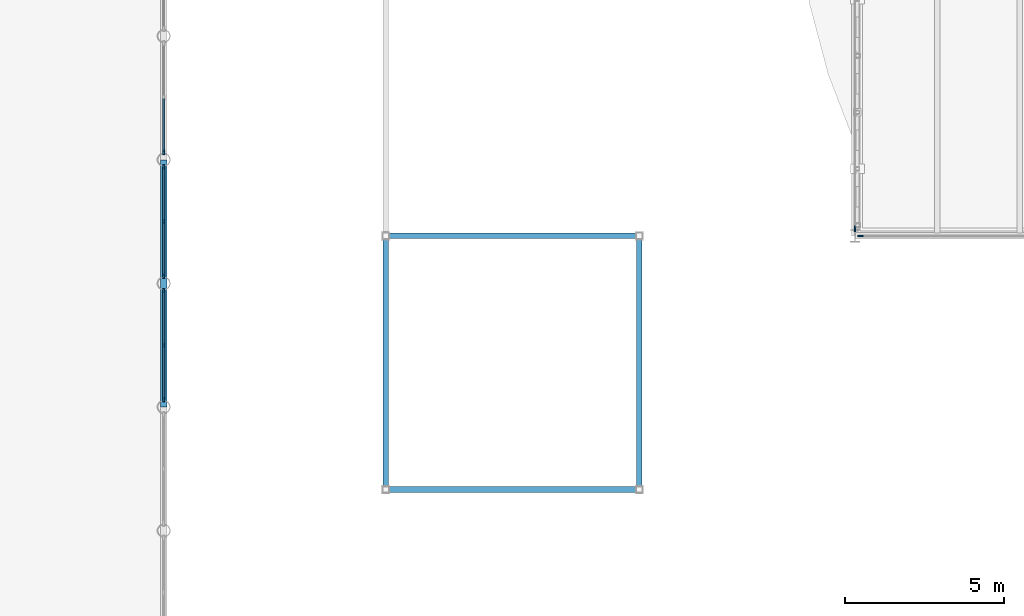
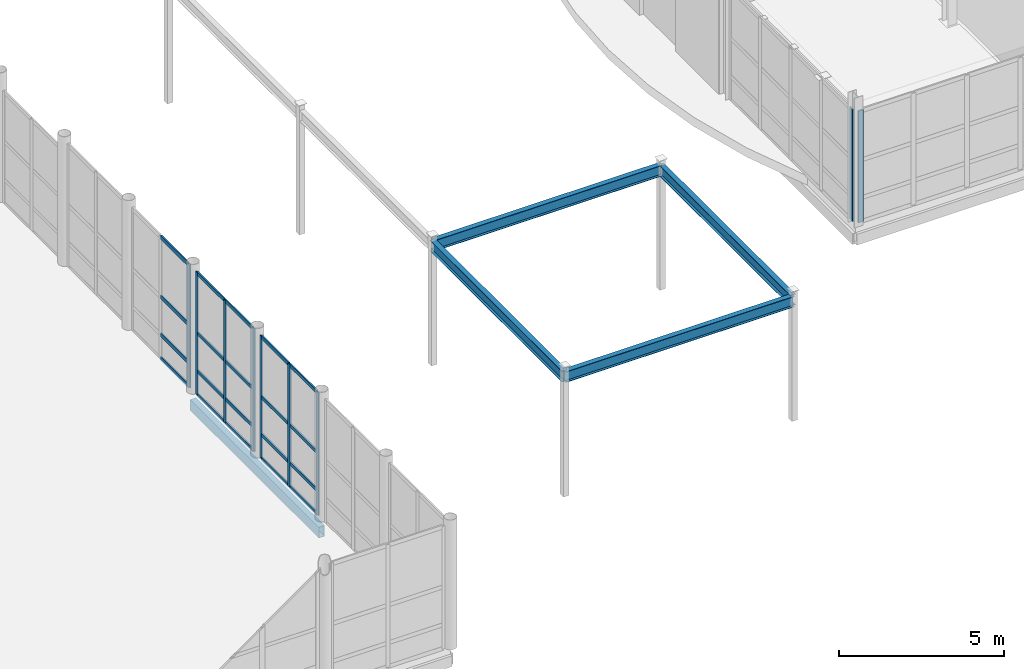
# One storey, part 41 of 131: 29 members, 5 beams, 5 elements without a shape of their own.
"""IFC4 building model written with IfcOpenShell, lengths in metres."""

from ifc_helpers import new_model, si_unit, direction, frame, origin, origin_2d, place, context, subcontext, project, spatial, rectangle, hollow_rectangle, i_section, extrude, material, layer, layer_set, material_profile, profile_set, type_object, element, aggregate, save


model = new_model("IFC4")

# Units and contexts
model_context = context("Model", 3, precision=1e-05, world=origin(), true_north=direction((0.0, 1.0)))
body_context = subcontext(model_context, "Body", "Model", "MODEL_VIEW")
ifc_project = project(units=[si_unit("LENGTHUNIT", "METRE"), si_unit("AREAUNIT", "SQUARE_METRE"), si_unit("VOLUMEUNIT", "CUBIC_METRE"), si_unit("PLANEANGLEUNIT", "RADIAN"), si_unit("MASSUNIT", "GRAM", prefix="KILO")], contexts=[model_context])

# Site, building, storey
site_placement = place(None, origin())
site = spatial("IfcSite", under=ifc_project, at=site_placement, CompositionType="ELEMENT")
building_placement = place(site_placement, origin())
building = spatial("IfcBuilding", under=site, at=building_placement, Name="Celorna Specialist Clinic", CompositionType="ELEMENT")
storey_placement = place(building_placement, origin())
storey = spatial("IfcBuildingStorey", under=building, at=storey_placement, Name="L00", CompositionType="ELEMENT", Elevation=0.0)

# Beams
ifc_material_1 = material(Name="Steel S355", Category="steel")
ifc_material_profile_1 = material_profile(ifc_material_1, i_section(OverallWidth=0.179931640625, OverallDepth=0.39990234375, WebThickness=0.008544921875, FlangeThickness=0.013427734375, at=origin_2d()), Name="IPE 400")
ifc_profile_set_1 = profile_set([ifc_material_profile_1], Name="Steel S355")
beam_type_1 = type_object("IfcBeamType", Name="BM-10", PredefinedType="BEAM", material=ifc_profile_set_1)
for number, where, z_axis, x_axis, name in (
    (1, (110.0, 52.0, 4.39990234375), (0.0, 1.0, 0.0), (-1.0, 0.0, 0.0), "Healing garden pergola beam #1"),
    (2, (118.0, 52.0, 4.39990234375), (0.0, 1.0, 0.0), (-1.0, 0.0, 0.0), "Healing garden pergola beam #4"),
    (3, (110.0, 52.0, 4.39990234375), (1.0, 0.0, 0.0), (0.0, 1.0, 0.0), "Healing garden pergola beam #5"),
    (4, (110.0, 60.0, 4.39990234375), (1.0, 0.0, 0.0), (0.0, 1.0, 0.0), "Healing garden pergola beam #6"),
):
    element("IfcBeam", number, at=place(storey_placement, frame(where, z_axis=z_axis, x_axis=x_axis)), inside=storey, type_object=beam_type_1, Name=name, PredefinedType="BEAM", context=body_context, shape_type="SweptSolid", body=[
        extrude(i_section(OverallWidth=0.179931640625, OverallDepth=0.39990234375, WebThickness=0.008544921875, FlangeThickness=0.013427734375, at=origin_2d()), origin(), (0.0, 0.0, 1.0), 8.0),
    ])
ifc_material_profile_2 = material_profile(ifc_material_1, hollow_rectangle(XDim=0.199951171875, YDim=0.39990234375, WallThickness=0.011962890625, at=origin_2d()), Name="RHS 200x400x12")
ifc_profile_set_2 = profile_set([ifc_material_profile_2], Name="Steel S355")
beam_type_2 = type_object("IfcBeamType", Name="BM-15", PredefinedType="SPANDREL", material=ifc_profile_set_2)
beam_placement = place(storey_placement, frame((103.0, 54.60009765625, -0.5), z_axis=(0.0, 1.0, 0.0), x_axis=(-1.0, 0.0, 0.0)))
element("IfcBeam", 5, at=beam_placement, inside=storey, type_object=beam_type_2, Name="Spandrel beam BM-15 #176", PredefinedType="SPANDREL", context=body_context, shape_type="SweptSolid", body=[
    extrude(hollow_rectangle(XDim=0.199951171875, YDim=0.39990234375, WallThickness=0.011962890625, at=origin_2d()), origin(), (0.0, 0.0, 1.0), 7.7998046875),
])

# Curtain wall, member
ifc_material_2 = material(Name="Thermally broken aluminium and solar-control glass curtain wall", Category="aluminium")
ifc_layer_1 = layer(ifc_material_2, 0.159912109375, Name="Thermally broken aluminium and solar-control glass curtain wall")
ifc_layer_set_1 = layer_set([ifc_layer_1], Name="Thermally broken aluminium and solar-control glass curtain wall")
curtain_wall_type_1 = type_object("IfcCurtainWallType", Name="CW-06", PredefinedType="NOTDEFINED", material=ifc_layer_set_1)
curtain_wall_1_placement = place(storey_placement, origin())
curtain_wall_1 = element("IfcCurtainWall", 6, at=curtain_wall_1_placement, inside=storey, type_object=curtain_wall_type_1, Name="Curtain wall CW-06 #23", PredefinedType="NOTDEFINED")
ifc_material_3 = material(Name="Anodized aluminium mullion", Category="aluminium")
ifc_material_profile_3 = material_profile(ifc_material_3, rectangle(XDim=0.050048828125, YDim=0.159912109375, at=origin_2d()), Name="ALU MULLION 50x160")
ifc_profile_set_3 = profile_set([ifc_material_profile_3], Name="Anodized aluminium mullion")
member_type_1 = type_object("IfcMemberType", Name="ML-01", PredefinedType="MULLION", material=ifc_profile_set_3)
member_1_placement = place(storey_placement, frame((103.0, 62.632080078125, 0.0), z_axis=(0.0, 0.0, 1.0), x_axis=(1.0, 0.0, 0.0)))
member_1 = element("IfcMember", 7, at=member_1_placement, type_object=member_type_1, Name="CW-06 mullion 3", PredefinedType="MULLION", context=body_context, shape_type="SweptSolid", body=[
    extrude(rectangle(XDim=0.050048828125, YDim=0.159912109375, at=origin_2d()), origin(), (0.0, 0.0, 1.0), 4.5400390625),
])

ifc_layer_2 = layer(ifc_material_2, 0.159912109375, Name="Thermally broken aluminium and solar-control glass curtain wall")
ifc_layer_set_2 = layer_set([ifc_layer_2], Name="Thermally broken aluminium and solar-control glass curtain wall")
curtain_wall_type_2 = type_object("IfcCurtainWallType", Name="CW-34", PredefinedType="NOTDEFINED", material=ifc_layer_set_2)
curtain_wall_2_placement = place(storey_placement, origin())
curtain_wall_2 = element("IfcCurtainWall", 8, at=curtain_wall_2_placement, inside=storey, type_object=curtain_wall_type_2, Name="Curtain wall CW-34 #64", PredefinedType="NOTDEFINED")
ifc_material_profile_4 = material_profile(ifc_material_3, rectangle(XDim=0.050048828125, YDim=0.179931640625, at=origin_2d()), Name="ALU MULLION 50x180")
ifc_profile_set_4 = profile_set([ifc_material_profile_4], Name="Anodized aluminium mullion")
member_type_2 = type_object("IfcMemberType", Name="ML-02", PredefinedType="MULLION", material=ifc_profile_set_4)
member_2_placement = place(storey_placement, frame((124.97900390625, 60.0, 0.0), z_axis=(0.0, 0.0, 1.0), x_axis=(0.0, -1.0, 0.0)))
member_2 = element("IfcMember", 9, at=member_2_placement, type_object=member_type_2, Name="CW-34 mullion 5", PredefinedType="MULLION", context=body_context, shape_type="SweptSolid", body=[
    extrude(rectangle(XDim=0.050048828125, YDim=0.179931640625, at=origin_2d()), origin(), (0.0, 0.0, 1.0), 4.139892578125),
])
aggregate(curtain_wall_2, [member_2])

ifc_layer_3 = layer(ifc_material_2, 0.159912109375, Name="Thermally broken aluminium and solar-control glass curtain wall")
ifc_layer_set_3 = layer_set([ifc_layer_3], Name="Thermally broken aluminium and solar-control glass curtain wall")
curtain_wall_type_3 = type_object("IfcCurtainWallType", Name="CW-38", PredefinedType="NOTDEFINED", material=ifc_layer_set_3)
curtain_wall_3_placement = place(storey_placement, origin())
curtain_wall_3 = element("IfcCurtainWall", 10, at=curtain_wall_3_placement, inside=storey, type_object=curtain_wall_type_3, Name="Curtain wall CW-38 #73", PredefinedType="NOTDEFINED")
member_3_placement = place(storey_placement, frame((124.800048828125, 60.22412109375, 0.0), z_axis=(0.0, 0.0, 1.0), x_axis=(-1.0, 0.0, 0.0)))
member_3 = element("IfcMember", 11, at=member_3_placement, type_object=member_type_2, Name="CW-38 mullion 1", PredefinedType="MULLION", context=body_context, shape_type="SweptSolid", body=[
    extrude(rectangle(XDim=0.050048828125, YDim=0.179931640625, at=origin_2d()), origin(), (0.0, 0.0, 1.0), 4.139892578125),
])
aggregate(curtain_wall_3, [member_3])

# Curtain wall, members
ifc_layer_4 = layer(ifc_material_2, 0.159912109375, Name="Thermally broken aluminium and solar-control glass curtain wall")
ifc_layer_set_4 = layer_set([ifc_layer_4], Name="Thermally broken aluminium and solar-control glass curtain wall")
curtain_wall_type_4 = type_object("IfcCurtainWallType", Name="CW-05", PredefinedType="NOTDEFINED", material=ifc_layer_set_4)
curtain_wall_4_placement = place(storey_placement, origin())
curtain_wall_4 = element("IfcCurtainWall", 12, at=curtain_wall_4_placement, inside=storey, type_object=curtain_wall_type_4, Name="Curtain wall CW-05 #20", PredefinedType="NOTDEFINED")
ifc_material_profile_5 = material_profile(ifc_material_3, rectangle(XDim=0.050048828125, YDim=0.139892578125, at=origin_2d()), Name="ALU MULLION 50x140")
ifc_profile_set_5 = profile_set([ifc_material_profile_5], Name="Anodized aluminium mullion")
member_type_3 = type_object("IfcMemberType", Name="ML-03", PredefinedType="MULLION", material=ifc_profile_set_5)
member_4_placement = place(storey_placement, frame((103.0, 62.167724609375, 0.0), z_axis=(0.0, 0.0, 1.0), x_axis=(1.0, 0.0, 0.0)))
member_4 = element("IfcMember", 13, at=member_4_placement, type_object=member_type_3, Name="CW-05 mullion 1", PredefinedType="MULLION", context=body_context, shape_type="SweptSolid", body=[
    extrude(rectangle(XDim=0.050048828125, YDim=0.139892578125, at=origin_2d()), origin(), (0.0, 0.0, 1.0), 4.5400390625),
])
member_5_placement = place(storey_placement, frame((103.0, 60.449951171875, 0.0), z_axis=(0.0, 0.0, 1.0), x_axis=(1.0, 0.0, 0.0)))
member_5 = element("IfcMember", 14, at=member_5_placement, type_object=member_type_3, Name="CW-05 mullion 2", PredefinedType="MULLION", context=body_context, shape_type="SweptSolid", body=[
    extrude(rectangle(XDim=0.050048828125, YDim=0.139892578125, at=origin_2d()), origin(), (0.0, 0.0, 1.0), 4.5400390625),
])
member_6_placement = place(storey_placement, frame((103.0, 58.732177734375, 0.0), z_axis=(0.0, 0.0, 1.0), x_axis=(1.0, 0.0, 0.0)))
member_6 = element("IfcMember", 15, at=member_6_placement, type_object=member_type_3, Name="CW-05 mullion 3", PredefinedType="MULLION", context=body_context, shape_type="SweptSolid", body=[
    extrude(rectangle(XDim=0.050048828125, YDim=0.139892578125, at=origin_2d()), origin(), (0.0, 0.0, 1.0), 4.5400390625),
])

curtain_wall_5_placement = place(storey_placement, origin())
curtain_wall_5 = element("IfcCurtainWall", 16, at=curtain_wall_5_placement, inside=storey, type_object=curtain_wall_type_4, Name="Curtain wall CW-05 #21", PredefinedType="NOTDEFINED")
member_7_placement = place(storey_placement, frame((103.0, 58.267822265625, 0.0), z_axis=(0.0, 0.0, 1.0), x_axis=(1.0, 0.0, 0.0)))
member_7 = element("IfcMember", 17, at=member_7_placement, type_object=member_type_3, Name="CW-05 mullion 1", PredefinedType="MULLION", context=body_context, shape_type="SweptSolid", body=[
    extrude(rectangle(XDim=0.050048828125, YDim=0.139892578125, at=origin_2d()), origin(), (0.0, 0.0, 1.0), 4.5400390625),
])
member_8_placement = place(storey_placement, frame((103.0, 56.550048828125, 0.0), z_axis=(0.0, 0.0, 1.0), x_axis=(1.0, 0.0, 0.0)))
member_8 = element("IfcMember", 18, at=member_8_placement, type_object=member_type_3, Name="CW-05 mullion 2", PredefinedType="MULLION", context=body_context, shape_type="SweptSolid", body=[
    extrude(rectangle(XDim=0.050048828125, YDim=0.139892578125, at=origin_2d()), origin(), (0.0, 0.0, 1.0), 4.5400390625),
])
member_9_placement = place(storey_placement, frame((103.0, 54.832275390625, 0.0), z_axis=(0.0, 0.0, 1.0), x_axis=(1.0, 0.0, 0.0)))
member_9 = element("IfcMember", 19, at=member_9_placement, type_object=member_type_3, Name="CW-05 mullion 3", PredefinedType="MULLION", context=body_context, shape_type="SweptSolid", body=[
    extrude(rectangle(XDim=0.050048828125, YDim=0.139892578125, at=origin_2d()), origin(), (0.0, 0.0, 1.0), 4.5400390625),
])

# Member
ifc_material_4 = material(Name="Anodized aluminium transom", Category="aluminium")
ifc_material_profile_6 = material_profile(ifc_material_4, rectangle(XDim=0.050048828125, YDim=0.1298828125, at=origin_2d()), Name="ALU TRANSOM 50x130")
ifc_profile_set_6 = profile_set([ifc_material_profile_6], Name="Anodized aluminium transom")
member_type_4 = type_object("IfcMemberType", Name="TR-01", PredefinedType="USERDEFINED", material=ifc_profile_set_6)
member_10_placement = place(storey_placement, frame((103.0, 62.142822265625, 0.02490234375), z_axis=(0.0, -1.0, 0.0), x_axis=(1.0, 0.0, 0.0)))
member_10 = element("IfcMember", 20, at=member_10_placement, type_object=member_type_4, Name="CW-05 transom 1.1", ObjectType="TRANSOM", PredefinedType="USERDEFINED", context=body_context, shape_type="SweptSolid", body=[
    extrude(rectangle(XDim=0.050048828125, YDim=0.1298828125, at=origin_2d()), origin(), (0.0, 0.0, 1.0), 1.667724609375),
])

member_11_placement = place(storey_placement, frame((103.0, 62.142822265625, 0.89990234375), z_axis=(0.0, -1.0, 0.0), x_axis=(1.0, 0.0, 0.0)))
member_11 = element("IfcMember", 21, at=member_11_placement, type_object=member_type_4, Name="CW-05 transom 1.2", ObjectType="TRANSOM", PredefinedType="USERDEFINED", context=body_context, shape_type="SweptSolid", body=[
    extrude(rectangle(XDim=0.050048828125, YDim=0.1298828125, at=origin_2d()), origin(), (0.0, 0.0, 1.0), 1.667724609375),
])

member_12_placement = place(storey_placement, frame((103.0, 62.142822265625, 2.300048828125), z_axis=(0.0, -1.0, 0.0), x_axis=(1.0, 0.0, 0.0)))
member_12 = element("IfcMember", 22, at=member_12_placement, type_object=member_type_4, Name="CW-05 transom 1.3", ObjectType="TRANSOM", PredefinedType="USERDEFINED", context=body_context, shape_type="SweptSolid", body=[
    extrude(rectangle(XDim=0.050048828125, YDim=0.1298828125, at=origin_2d()), origin(), (0.0, 0.0, 1.0), 1.667724609375),
])

member_13_placement = place(storey_placement, frame((103.0, 62.142822265625, 4.514892578125), z_axis=(0.0, -1.0, 0.0), x_axis=(1.0, 0.0, 0.0)))
member_13 = element("IfcMember", 23, at=member_13_placement, type_object=member_type_4, Name="CW-05 transom 1.4", ObjectType="TRANSOM", PredefinedType="USERDEFINED", context=body_context, shape_type="SweptSolid", body=[
    extrude(rectangle(XDim=0.050048828125, YDim=0.1298828125, at=origin_2d()), origin(), (0.0, 0.0, 1.0), 1.667724609375),
])

member_14_placement = place(storey_placement, frame((103.0, 60.425048828125, 0.02490234375), z_axis=(0.0, -1.0, 0.0), x_axis=(1.0, 0.0, 0.0)))
member_14 = element("IfcMember", 24, at=member_14_placement, type_object=member_type_4, Name="CW-05 transom 2.1", ObjectType="TRANSOM", PredefinedType="USERDEFINED", context=body_context, shape_type="SweptSolid", body=[
    extrude(rectangle(XDim=0.050048828125, YDim=0.1298828125, at=origin_2d()), origin(), (0.0, 0.0, 1.0), 1.66796875),
])

member_15_placement = place(storey_placement, frame((103.0, 60.425048828125, 0.89990234375), z_axis=(0.0, -1.0, 0.0), x_axis=(1.0, 0.0, 0.0)))
member_15 = element("IfcMember", 25, at=member_15_placement, type_object=member_type_4, Name="CW-05 transom 2.2", ObjectType="TRANSOM", PredefinedType="USERDEFINED", context=body_context, shape_type="SweptSolid", body=[
    extrude(rectangle(XDim=0.050048828125, YDim=0.1298828125, at=origin_2d()), origin(), (0.0, 0.0, 1.0), 1.66796875),
])

member_16_placement = place(storey_placement, frame((103.0, 60.425048828125, 2.300048828125), z_axis=(0.0, -1.0, 0.0), x_axis=(1.0, 0.0, 0.0)))
member_16 = element("IfcMember", 26, at=member_16_placement, type_object=member_type_4, Name="CW-05 transom 2.3", ObjectType="TRANSOM", PredefinedType="USERDEFINED", context=body_context, shape_type="SweptSolid", body=[
    extrude(rectangle(XDim=0.050048828125, YDim=0.1298828125, at=origin_2d()), origin(), (0.0, 0.0, 1.0), 1.66796875),
])

member_17_placement = place(storey_placement, frame((103.0, 60.425048828125, 4.514892578125), z_axis=(0.0, -1.0, 0.0), x_axis=(1.0, 0.0, 0.0)))
member_17 = element("IfcMember", 27, at=member_17_placement, type_object=member_type_4, Name="CW-05 transom 2.4", ObjectType="TRANSOM", PredefinedType="USERDEFINED", context=body_context, shape_type="SweptSolid", body=[
    extrude(rectangle(XDim=0.050048828125, YDim=0.1298828125, at=origin_2d()), origin(), (0.0, 0.0, 1.0), 1.66796875),
])

aggregate(curtain_wall_4, [member_4, member_5, member_6, member_10, member_11, member_12, member_13, member_14, member_15, member_16, member_17])

member_18_placement = place(storey_placement, frame((103.0, 58.242919921875, 0.02490234375), z_axis=(0.0, -1.0, 0.0), x_axis=(1.0, 0.0, 0.0)))
member_18 = element("IfcMember", 28, at=member_18_placement, type_object=member_type_4, Name="CW-05 transom 1.1", ObjectType="TRANSOM", PredefinedType="USERDEFINED", context=body_context, shape_type="SweptSolid", body=[
    extrude(rectangle(XDim=0.050048828125, YDim=0.1298828125, at=origin_2d()), origin(), (0.0, 0.0, 1.0), 1.66796875),
])

member_19_placement = place(storey_placement, frame((103.0, 58.242919921875, 0.89990234375), z_axis=(0.0, -1.0, 0.0), x_axis=(1.0, 0.0, 0.0)))
member_19 = element("IfcMember", 29, at=member_19_placement, type_object=member_type_4, Name="CW-05 transom 1.2", ObjectType="TRANSOM", PredefinedType="USERDEFINED", context=body_context, shape_type="SweptSolid", body=[
    extrude(rectangle(XDim=0.050048828125, YDim=0.1298828125, at=origin_2d()), origin(), (0.0, 0.0, 1.0), 1.66796875),
])

member_20_placement = place(storey_placement, frame((103.0, 58.242919921875, 2.300048828125), z_axis=(0.0, -1.0, 0.0), x_axis=(1.0, 0.0, 0.0)))
member_20 = element("IfcMember", 30, at=member_20_placement, type_object=member_type_4, Name="CW-05 transom 1.3", ObjectType="TRANSOM", PredefinedType="USERDEFINED", context=body_context, shape_type="SweptSolid", body=[
    extrude(rectangle(XDim=0.050048828125, YDim=0.1298828125, at=origin_2d()), origin(), (0.0, 0.0, 1.0), 1.66796875),
])

member_21_placement = place(storey_placement, frame((103.0, 58.242919921875, 4.514892578125), z_axis=(0.0, -1.0, 0.0), x_axis=(1.0, 0.0, 0.0)))
member_21 = element("IfcMember", 31, at=member_21_placement, type_object=member_type_4, Name="CW-05 transom 1.4", ObjectType="TRANSOM", PredefinedType="USERDEFINED", context=body_context, shape_type="SweptSolid", body=[
    extrude(rectangle(XDim=0.050048828125, YDim=0.1298828125, at=origin_2d()), origin(), (0.0, 0.0, 1.0), 1.66796875),
])

member_22_placement = place(storey_placement, frame((103.0, 56.52490234375, 0.02490234375), z_axis=(0.0, -1.0, 0.0), x_axis=(1.0, 0.0, 0.0)))
member_22 = element("IfcMember", 32, at=member_22_placement, type_object=member_type_4, Name="CW-05 transom 2.1", ObjectType="TRANSOM", PredefinedType="USERDEFINED", context=body_context, shape_type="SweptSolid", body=[
    extrude(rectangle(XDim=0.050048828125, YDim=0.1298828125, at=origin_2d()), origin(), (0.0, 0.0, 1.0), 1.667724609375),
])

member_23_placement = place(storey_placement, frame((103.0, 56.52490234375, 0.89990234375), z_axis=(0.0, -1.0, 0.0), x_axis=(1.0, 0.0, 0.0)))
member_23 = element("IfcMember", 33, at=member_23_placement, type_object=member_type_4, Name="CW-05 transom 2.2", ObjectType="TRANSOM", PredefinedType="USERDEFINED", context=body_context, shape_type="SweptSolid", body=[
    extrude(rectangle(XDim=0.050048828125, YDim=0.1298828125, at=origin_2d()), origin(), (0.0, 0.0, 1.0), 1.667724609375),
])

member_24_placement = place(storey_placement, frame((103.0, 56.52490234375, 2.300048828125), z_axis=(0.0, -1.0, 0.0), x_axis=(1.0, 0.0, 0.0)))
member_24 = element("IfcMember", 34, at=member_24_placement, type_object=member_type_4, Name="CW-05 transom 2.3", ObjectType="TRANSOM", PredefinedType="USERDEFINED", context=body_context, shape_type="SweptSolid", body=[
    extrude(rectangle(XDim=0.050048828125, YDim=0.1298828125, at=origin_2d()), origin(), (0.0, 0.0, 1.0), 1.667724609375),
])

member_25_placement = place(storey_placement, frame((103.0, 56.52490234375, 4.514892578125), z_axis=(0.0, -1.0, 0.0), x_axis=(1.0, 0.0, 0.0)))
member_25 = element("IfcMember", 35, at=member_25_placement, type_object=member_type_4, Name="CW-05 transom 2.4", ObjectType="TRANSOM", PredefinedType="USERDEFINED", context=body_context, shape_type="SweptSolid", body=[
    extrude(rectangle(XDim=0.050048828125, YDim=0.1298828125, at=origin_2d()), origin(), (0.0, 0.0, 1.0), 1.667724609375),
])

aggregate(curtain_wall_5, [member_7, member_8, member_9, member_18, member_19, member_20, member_21, member_22, member_23, member_24, member_25])

ifc_material_profile_7 = material_profile(ifc_material_4, rectangle(XDim=0.050048828125, YDim=0.14990234375, at=origin_2d()), Name="ALU TRANSOM 50x150")
ifc_profile_set_7 = profile_set([ifc_material_profile_7], Name="Anodized aluminium transom")
member_type_5 = type_object("IfcMemberType", Name="TR-02", PredefinedType="USERDEFINED", material=ifc_profile_set_7)
member_26_placement = place(storey_placement, frame((103.0, 64.324951171875, 0.02490234375), z_axis=(0.0, -1.0, 0.0), x_axis=(1.0, 0.0, 0.0)))
member_26 = element("IfcMember", 36, at=member_26_placement, type_object=member_type_5, Name="CW-06 transom 2.1", ObjectType="TRANSOM", PredefinedType="USERDEFINED", context=body_context, shape_type="SweptSolid", body=[
    extrude(rectangle(XDim=0.050048828125, YDim=0.14990234375, at=origin_2d()), origin(), (0.0, 0.0, 1.0), 1.667724609375),
])

member_27_placement = place(storey_placement, frame((103.0, 64.324951171875, 0.89990234375), z_axis=(0.0, -1.0, 0.0), x_axis=(1.0, 0.0, 0.0)))
member_27 = element("IfcMember", 37, at=member_27_placement, type_object=member_type_5, Name="CW-06 transom 2.2", ObjectType="TRANSOM", PredefinedType="USERDEFINED", context=body_context, shape_type="SweptSolid", body=[
    extrude(rectangle(XDim=0.050048828125, YDim=0.14990234375, at=origin_2d()), origin(), (0.0, 0.0, 1.0), 1.667724609375),
])

member_28_placement = place(storey_placement, frame((103.0, 64.324951171875, 2.300048828125), z_axis=(0.0, -1.0, 0.0), x_axis=(1.0, 0.0, 0.0)))
member_28 = element("IfcMember", 38, at=member_28_placement, type_object=member_type_5, Name="CW-06 transom 2.3", ObjectType="TRANSOM", PredefinedType="USERDEFINED", context=body_context, shape_type="SweptSolid", body=[
    extrude(rectangle(XDim=0.050048828125, YDim=0.14990234375, at=origin_2d()), origin(), (0.0, 0.0, 1.0), 1.667724609375),
])

member_29_placement = place(storey_placement, frame((103.0, 64.324951171875, 4.514892578125), z_axis=(0.0, -1.0, 0.0), x_axis=(1.0, 0.0, 0.0)))
member_29 = element("IfcMember", 39, at=member_29_placement, type_object=member_type_5, Name="CW-06 transom 2.4", ObjectType="TRANSOM", PredefinedType="USERDEFINED", context=body_context, shape_type="SweptSolid", body=[
    extrude(rectangle(XDim=0.050048828125, YDim=0.14990234375, at=origin_2d()), origin(), (0.0, 0.0, 1.0), 1.667724609375),
])

aggregate(curtain_wall_1, [member_1, member_26, member_27, member_28, member_29])

save(model, "model.ifc")
